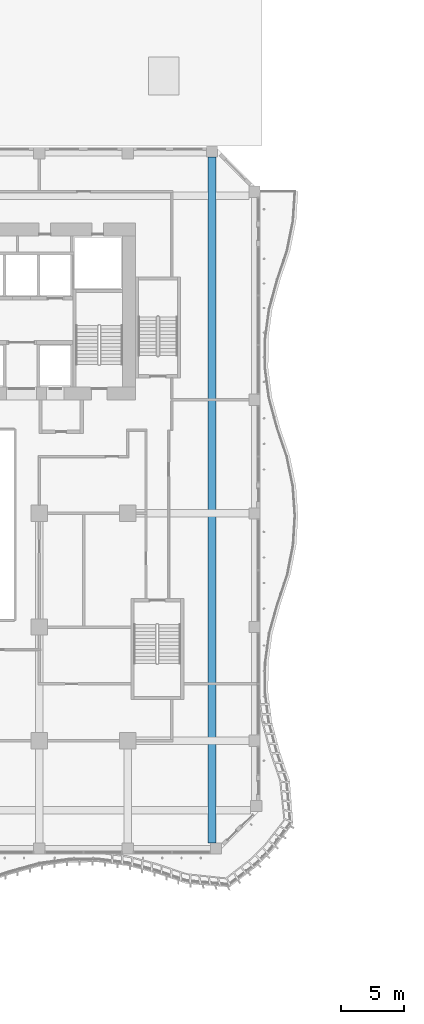
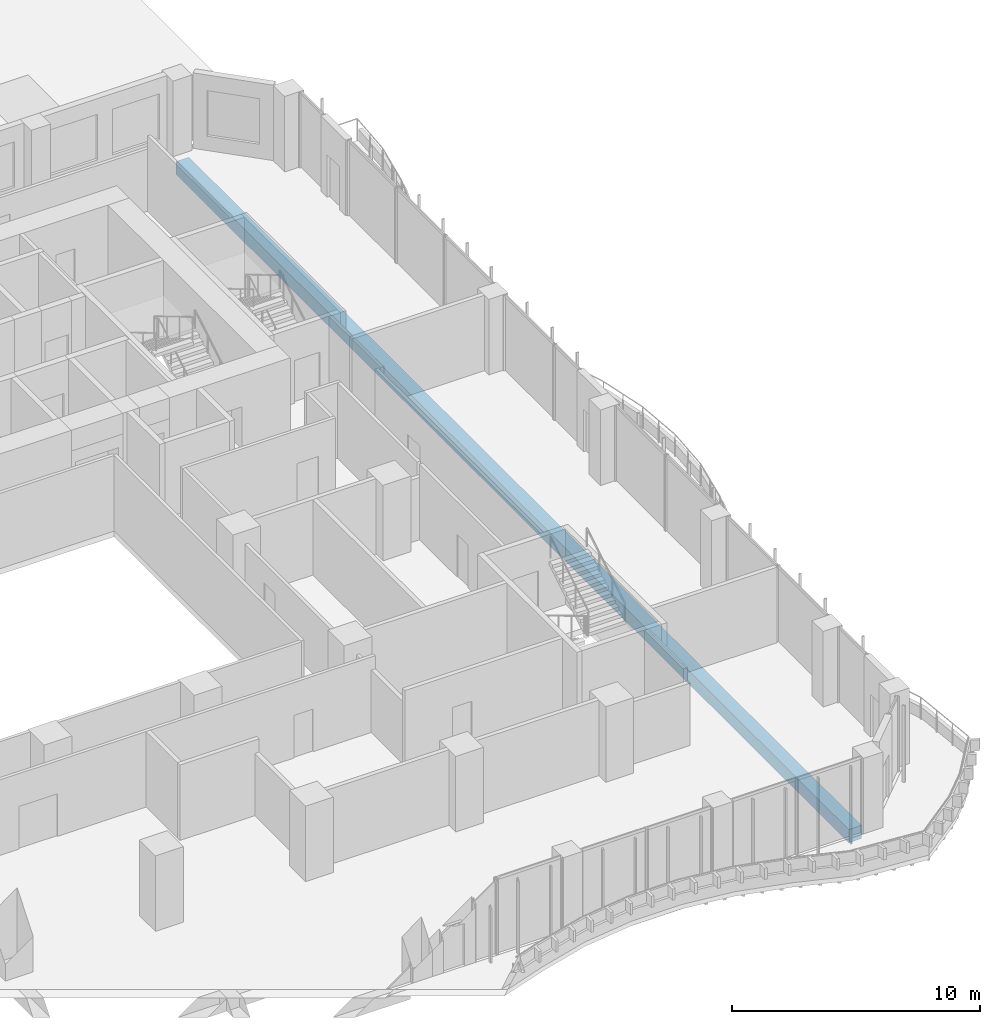
# One storey, part 8 of 29: 1 beam.
"""IFC4 building model written with IfcOpenShell, lengths in metres."""

from ifc_helpers import new_model, si_unit, direction, frame, origin, origin_2d, place, context, subcontext, project, spatial, rectangle, extrude, source, transform, mapped, material, material_profile, profile_set, type_object, element, save


model = new_model("IFC4")

# Units and contexts
model_context = context("Model", 3, precision=1e-05, world=origin(), true_north=direction((0.0, 1.0)))
body_context = subcontext(model_context, "Body", "Model", "MODEL_VIEW")
ifc_project = project(units=[si_unit("LENGTHUNIT", "METRE"), si_unit("AREAUNIT", "SQUARE_METRE"), si_unit("VOLUMEUNIT", "CUBIC_METRE"), si_unit("PLANEANGLEUNIT", "RADIAN"), si_unit("MASSUNIT", "GRAM", prefix="KILO")], contexts=[model_context])

# Site, building, storey
site_placement = place(None, origin())
site = spatial("IfcSite", under=ifc_project, at=site_placement, CompositionType="ELEMENT")
building_placement = place(site_placement, origin())
building = spatial("IfcBuilding", under=site, at=building_placement, Name="Kilnfold Tower and Market Hall", CompositionType="ELEMENT")
storey_placement = place(building_placement, frame((0.0, 0.0, 27.0)))
storey = spatial("IfcBuildingStorey", under=building, at=storey_placement, Name="L05", CompositionType="ELEMENT", Elevation=27.0)

# Beam
ifc_material = material(Name="Concrete C45", Category="concrete")
ifc_material_profile = material_profile(ifc_material, rectangle(XDim=0.60009765625, YDim=0.64990234375, at=origin_2d()), Name="RC 600x650")
ifc_profile_set = profile_set([ifc_material_profile], Name="Concrete C45")
beam_type = type_object("IfcBeamType", Name="BEAM 600X650 C45", PredefinedType="BEAM", material=ifc_profile_set)
shared_shape = source(origin(), body_context, "Body", "SweptSolid", [
    extrude(rectangle(XDim=0.60009765625, YDim=0.64990234375, at=origin_2d()), origin(), (0.0, 0.0, 1.0), 54.331787109375),
])
beam_placement = place(storey_placement, frame((24.179931640625, -27.10009765625, -0.60498046875), z_axis=(0.0, 1.0, 0.0), x_axis=(-1.0, 0.0, 0.0)))
element("IfcBeam", 1, at=beam_placement, inside=storey, type_object=beam_type, Name="Beam BB650-B1.57", PredefinedType="BEAM", context=body_context, shape_type="MappedRepresentation", body=[
    mapped(shared_shape, transform((0.0, 0.0, 0.0))),
])

save(model, "model.ifc")
